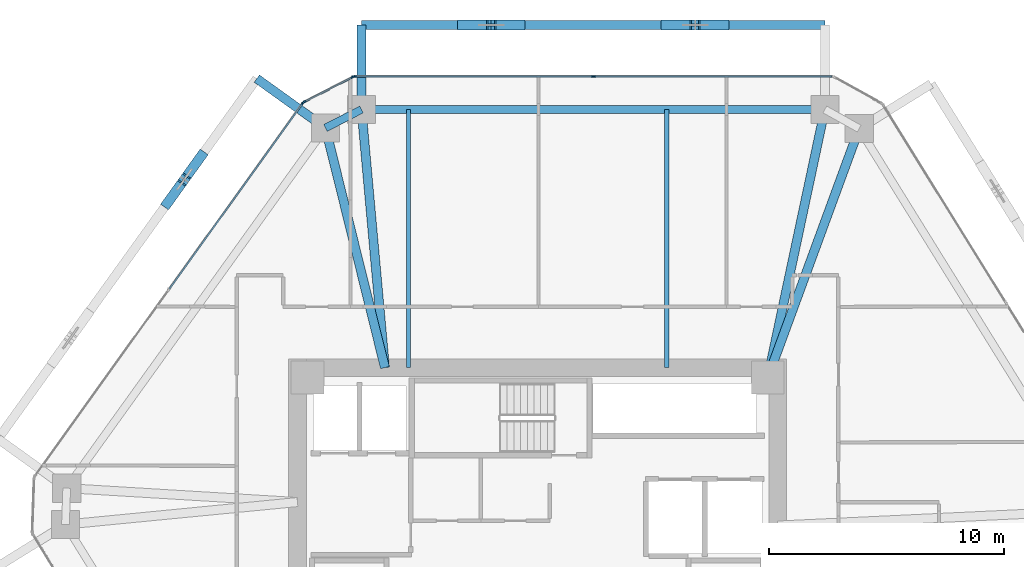
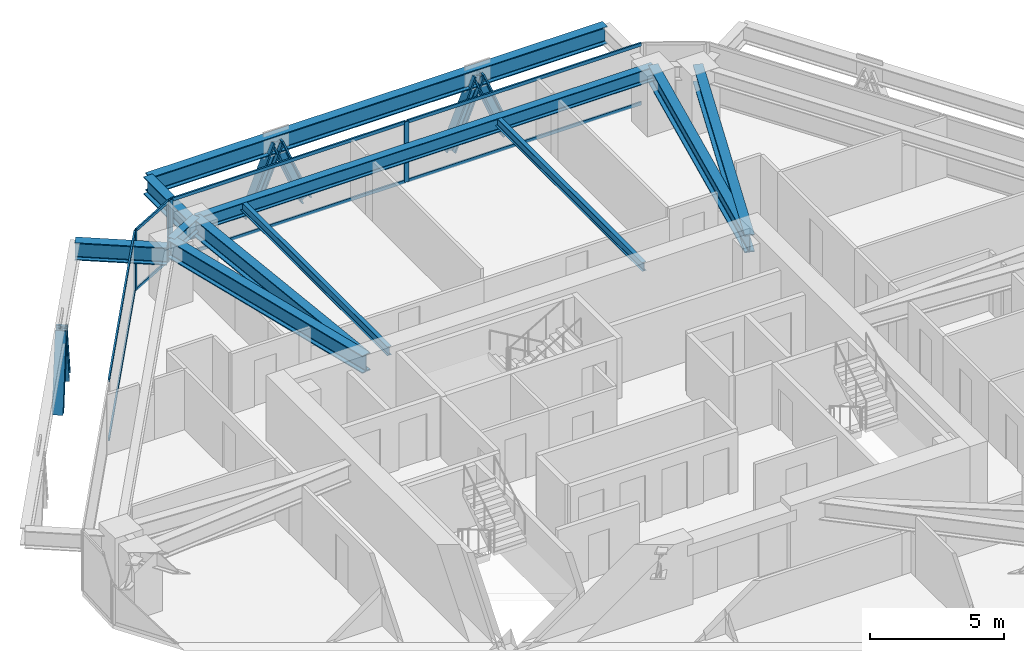
# One storey, part 7 of 17: 19 members, 11 beams, 3 elements without a shape of their own.
"""IFC4 building model written with IfcOpenShell, lengths in metres."""

import ifcopenshell
import ifcopenshell.guid

model = None  # the IFC model being written
_history = None  # IfcOwnerHistory: only IFC2X3 demands one
_inside = {}  # id of a spatial element -> (the spatial element, [elements in it])
_under = {}  # id of a project, library or spatial element -> (it, [spatial elements below it])
_declared = {}  # id of a project -> (the project, [libraries it declares])
_typed = {}  # id of a type object -> (the type object, [elements of that type])
_made_of = {}  # id of a material, layer set ... -> (it, [elements and type objects made of it])


def new_model(schema):
    """Start an empty IFC model of exactly this schema.

    Asked for "IFC4X3", IfcOpenShell would pick the latest addendum, in which some entities
    have other attributes; the version numbers below select the first issue.
    IFC2X3 requires an IfcOwnerHistory on every rooted entity: one is made here for all.
    """
    global model, _history
    if schema == "IFC4X3":
        model = ifcopenshell.file(schema_version=(4, 3, 0, 0))
    else:
        model = ifcopenshell.file(schema=schema)
    _inside.clear()
    _under.clear()
    _declared.clear()
    _typed.clear()
    _made_of.clear()
    _history = None
    if model.schema == "IFC2X3":
        org = make("IfcOrganization", Name="unknown")
        user = make(
            "IfcPersonAndOrganization",
            ThePerson=make("IfcPerson", FamilyName="unknown"),
            TheOrganization=org,
        )
        app = make(
            "IfcApplication",
            ApplicationDeveloper=org,
            Version="unknown",
            ApplicationFullName="unknown",
            ApplicationIdentifier="unknown",
        )
        _history = make(
            "IfcOwnerHistory",
            OwningUser=user,
            OwningApplication=app,
            ChangeAction="ADDED",
            CreationDate=0,
        )
    return model


def make(cls, **values):
    """One entity of the class cls with the attributes given. An attribute that is None is left unset."""
    return model.create_entity(
        cls, **{name: value for name, value in values.items() if value is not None}
    )


def rooted(cls, **values):
    """An entity with a GlobalId (a new one), such as an element, a storey or a relation."""
    return make(cls, GlobalId=ifcopenshell.guid.new(), OwnerHistory=_history, **values)


def si_unit(unit_type, name, prefix=None):
    """IfcSIUnit, for example si_unit("LENGTHUNIT", "METRE", prefix="MILLI")."""
    return make("IfcSIUnit", UnitType=unit_type, Prefix=prefix, Name=name)


def assignment(units):
    """IfcUnitAssignment: the units of a project."""
    return None if units is None else make("IfcUnitAssignment", Units=units)


def point(xyz):
    """IfcCartesianPoint."""
    return None if xyz is None else make("IfcCartesianPoint", Coordinates=xyz)


def direction(xyz):
    """IfcDirection."""
    return None if xyz is None else make("IfcDirection", DirectionRatios=xyz)


def frame(location, z_axis=None, x_axis=None):
    """IfcAxis2Placement3D, a coordinate frame: its origin and axes. An axis left out is left unset."""
    return make(
        "IfcAxis2Placement3D",
        Location=point(location),
        Axis=direction(z_axis),
        RefDirection=direction(x_axis),
    )


def frame_2d(location, x_axis=None):
    """IfcAxis2Placement2D, a coordinate frame in the plane: its origin and x axis."""
    return make(
        "IfcAxis2Placement2D", Location=point(location), RefDirection=direction(x_axis)
    )


def origin():
    """The frame at (0, 0, 0) with its axes left unset."""
    return frame((0.0, 0.0, 0.0))


def origin_2d():
    """The frame at (0, 0) in the plane with its x axis left unset."""
    return frame_2d((0.0, 0.0))


def place(relative_to, where):
    """IfcLocalPlacement: puts the frame where relative to a parent placement (None: the world)."""
    return make(
        "IfcLocalPlacement", PlacementRelTo=relative_to, RelativePlacement=where
    )


def context(
    kind, dimensions, precision=None, world=None, true_north=None, identifier=None
):
    """IfcGeometricRepresentationContext, for example the 3D "Model" context."""
    return make(
        "IfcGeometricRepresentationContext",
        ContextIdentifier=identifier,
        ContextType=kind,
        CoordinateSpaceDimension=dimensions,
        Precision=precision,
        WorldCoordinateSystem=world,
        TrueNorth=true_north,
    )


def subcontext(parent, identifier, kind, view, scale=None):
    """IfcGeometricRepresentationSubContext, for example "Body" below "Model"."""
    return make(
        "IfcGeometricRepresentationSubContext",
        ContextIdentifier=identifier,
        ContextType=kind,
        ParentContext=parent,
        TargetScale=scale,
        TargetView=view,
    )


def project(units=None, contexts=None):
    """IfcProject with its units and contexts."""
    return rooted(
        "IfcProject",
        Name="project",
        RepresentationContexts=contexts,
        UnitsInContext=assignment(units),
    )


def spatial(cls, under=None, at=None, **own):
    """A site, building, storey or space (cls), placed at a placement, below another one or the project."""
    s = rooted(cls, ObjectPlacement=at, **own)
    if under is not None:
        _under.setdefault(under.id(), (under, []))[1].append(s)
    return s


def profile(cls, at=None, kind="AREA", **sizes):
    """A parametric profile (cls). Its sizes go by their IFC names, for example OverallWidth=200.0."""
    return make(cls, ProfileType=kind, Position=at, **sizes)


def rectangle(**sizes):
    """IfcRectangleProfileDef."""
    return profile("IfcRectangleProfileDef", **sizes)


def i_section(**sizes):
    """IfcIShapeProfileDef."""
    return profile("IfcIShapeProfileDef", **sizes)


def extrude(swept, where, along, depth):
    """IfcExtrudedAreaSolid: the profile swept, set in the frame where, extruded along a direction by depth."""
    return make(
        "IfcExtrudedAreaSolid",
        SweptArea=swept,
        Position=where,
        ExtrudedDirection=direction(along),
        Depth=depth,
    )


def shape(context_of_items, identifier, shape_type, items):
    """IfcShapeRepresentation: the items that make up one representation, for example the "Body"."""
    return make(
        "IfcShapeRepresentation",
        ContextOfItems=context_of_items,
        RepresentationIdentifier=identifier,
        RepresentationType=shape_type,
        Items=items,
    )


def source(mapping_origin, context_of_items, identifier, shape_type, items):
    """IfcRepresentationMap: a shape defined once, which mapped items show again and again."""
    return make(
        "IfcRepresentationMap",
        MappingOrigin=mapping_origin,
        MappedRepresentation=shape(context_of_items, identifier, shape_type, items),
    )


def transform(
    local_origin,
    x_axis=None,
    y_axis=None,
    z_axis=None,
    scale=None,
    scale2=None,
    scale3=None,
    uniform=True,
):
    """IfcCartesianTransformationOperator3D, or its non-uniform kind. x_axis, y_axis, z_axis: its Axis1, 2, 3."""
    if uniform:
        return make(
            "IfcCartesianTransformationOperator3D",
            Axis1=direction(x_axis),
            Axis2=direction(y_axis),
            LocalOrigin=point(local_origin),
            Scale=scale,
            Axis3=direction(z_axis),
        )
    return make(
        "IfcCartesianTransformationOperator3DnonUniform",
        Axis1=direction(x_axis),
        Axis2=direction(y_axis),
        LocalOrigin=point(local_origin),
        Scale=scale,
        Axis3=direction(z_axis),
        Scale2=scale2,
        Scale3=scale3,
    )


def mapped(mapping_source, mapping_target):
    """IfcMappedItem: shows the shape of a source again, moved by a transform."""
    return make(
        "IfcMappedItem", MappingSource=mapping_source, MappingTarget=mapping_target
    )


def material(Name=None, Category=None):
    """IfcMaterial."""
    return make("IfcMaterial", Name=Name, Category=Category)


def layer(
    of_material, thickness, ventilated=None, Name=None, Category=None, Priority=None
):
    """IfcMaterialLayer: one layer of a wall or slab, of a material (None: an air gap)."""
    return make(
        "IfcMaterialLayer",
        Material=of_material,
        LayerThickness=thickness,
        IsVentilated=ventilated,
        Name=Name,
        Category=Category,
        Priority=Priority,
    )


def layer_set(layers, Name=None):
    """IfcMaterialLayerSet."""
    return make("IfcMaterialLayerSet", MaterialLayers=layers, LayerSetName=Name)


def material_profile(
    of_material, cross_section, Name=None, Category=None, Priority=None
):
    """IfcMaterialProfile: a cross section and its material."""
    return make(
        "IfcMaterialProfile",
        Name=Name,
        Material=of_material,
        Profile=cross_section,
        Priority=Priority,
        Category=Category,
    )


def profile_set(profiles, Name=None, composite=None):
    """IfcMaterialProfileSet."""
    return make(
        "IfcMaterialProfileSet",
        Name=Name,
        MaterialProfiles=profiles,
        CompositeProfile=composite,
    )


def made_of(thing, what):
    """Note that an element or type object is made of a material, layer set ...; save() writes the relation."""
    if what is not None:
        _made_of.setdefault(what.id(), (what, []))[1].append(thing)
    return thing


def type_object(cls, material=None, **own):
    """A type object (cls), such as IfcWallType, which elements share."""
    return made_of(rooted(cls, **own), material)


def type_shapes(of_type, sources):
    """Give a type object the sources (RepresentationMaps) that its elements show as mapped items."""
    of_type.RepresentationMaps = sources


def element(
    cls,
    number,
    at=None,
    inside=None,
    cuts=None,
    type_object=None,
    material=None,
    context=None,
    identifier="Body",
    shape_type=None,
    held_by="IfcProductDefinitionShape",
    body=None,
    shapes=None,
    **own,
):
    """One element of the class cls, such as IfcWall. Its Tag is "e" and its number.

    at: its placement. inside: the storey or other place that contains it. cuts: it is an
    opening in that element (IfcRelVoidsElement). A single representation is given by context,
    identifier, shape_type and body (its items); several are given by shapes. held_by: the class
    of the entity that holds the representations. save() writes the other relations.
    """
    e = rooted(cls, Tag="e%d" % number, ObjectPlacement=at, **own)
    if body is not None:
        shapes = [shape(context, identifier, shape_type, body)]
    if shapes is not None:
        e.Representation = make(held_by, Representations=shapes)
    if inside is not None:
        _inside.setdefault(inside.id(), (inside, []))[1].append(e)
    if cuts is not None:
        rooted(
            "IfcRelVoidsElement", RelatingBuildingElement=cuts, RelatedOpeningElement=e
        )
    if type_object is not None:
        _typed.setdefault(type_object.id(), (type_object, []))[1].append(e)
    return made_of(e, material)


def aggregate(whole, parts):
    """IfcRelAggregates: a whole, such as a stair, and the parts it consists of."""
    return rooted("IfcRelAggregates", RelatingObject=whole, RelatedObjects=parts)


def save(model, path):
    """Write the relations noted so far, then the file.

    IfcRelAggregates (storeys below a building ...), IfcRelContainedInSpatialStructure (elements
    in a storey), IfcRelDefinesByType, IfcRelAssociatesMaterial and IfcRelDeclares: one each for
    every whole, place, type object, material and project.
    """
    for whole, parts in _under.values():
        aggregate(whole, parts)
    for where, things in _inside.values():
        rooted(
            "IfcRelContainedInSpatialStructure",
            RelatedElements=things,
            RelatingStructure=where,
        )
    for kind, things in _typed.values():
        rooted("IfcRelDefinesByType", RelatedObjects=things, RelatingType=kind)
    for what, things in _made_of.values():
        rooted("IfcRelAssociatesMaterial", RelatedObjects=things, RelatingMaterial=what)
    for by, libraries in _declared.values():
        rooted("IfcRelDeclares", RelatingContext=by, RelatedDefinitions=libraries)
    model.write(path)


model = new_model("IFC4")

# Units and contexts
model_context = context("Model", 3, precision=1e-05, world=origin(), true_north=direction((0.0, 1.0)))
body_context = subcontext(model_context, "Body", "Model", "MODEL_VIEW")
ifc_project = project(units=[si_unit("LENGTHUNIT", "METRE"), si_unit("AREAUNIT", "SQUARE_METRE"), si_unit("VOLUMEUNIT", "CUBIC_METRE"), si_unit("PLANEANGLEUNIT", "RADIAN"), si_unit("MASSUNIT", "GRAM", prefix="KILO")], contexts=[model_context])

# Site, building, storey
site_placement = place(None, origin())
site = spatial("IfcSite", under=ifc_project, at=site_placement, CompositionType="ELEMENT")
building_placement = place(site_placement, origin())
building = spatial("IfcBuilding", under=site, at=building_placement, Name="Durnholm Broadcast Tower", CompositionType="ELEMENT")
storey_placement = place(building_placement, frame((0.0, 0.0, 143.10009765625)))
storey = spatial("IfcBuildingStorey", under=building, at=storey_placement, Name="L39", CompositionType="ELEMENT", Elevation=143.10009765625)

# Beams
ifc_material_1 = material(Name="Steel ASTM A992 Grade 50", Category="steel")
ifc_material_profile_1 = material_profile(ifc_material_1, i_section(OverallWidth=0.385009765625, OverallDepth=0.802978515625, WebThickness=0.023681640625, FlangeThickness=0.0419921875, FilletRadius=0.032958984375, at=origin_2d()), Name="W30X261")
ifc_profile_set_1 = profile_set([ifc_material_profile_1], Name="Steel ASTM A992 Grade 50")
beam_type_1 = type_object("IfcBeamType", Name="BM-EXO-TIE", PredefinedType="USERDEFINED", material=ifc_profile_set_1)
shared_shape_1 = source(origin(), body_context, "Body", "SweptSolid", [
    extrude(i_section(OverallWidth=0.385009765625, OverallDepth=0.802978515625, WebThickness=0.023681640625, FlangeThickness=0.0419921875, FilletRadius=0.032958984375, at=origin_2d()), origin(), (0.0, 0.0, 1.0), 3.4560546875),
])
beam_1_placement = place(storey_placement, frame((-7.498046875, 19.35888671875, 2.008544921875), z_axis=(0.0, 1.0, 0.0), x_axis=(-1.0, 0.0, 0.0)))
element("IfcBeam", 1, at=beam_1_placement, inside=storey, type_object=beam_type_1, Name="L39 exoskeleton stand-off tie bracket F4.2", ObjectType="GIRDER", PredefinedType="USERDEFINED", context=body_context, shape_type="MappedRepresentation", body=[
    mapped(shared_shape_1, transform((0.0, 0.0, 0.0), x_axis=(1.0, 0.0, 0.0), y_axis=(0.0, 1.0, 0.0), z_axis=(0.0, 0.0, 1.0), scale=1.0)),
])
ifc_material_profile_2 = material_profile(ifc_material_1, i_section(OverallWidth=0.3291015625, OverallDepth=0.635009765625, WebThickness=0.017822265625, FlangeThickness=0.031005859375, FilletRadius=0.02783203125, at=origin_2d()), Name="W24X162")
ifc_profile_set_2 = profile_set([ifc_material_profile_2], Name="Steel ASTM A992 Grade 50")
beam_type_2 = type_object("IfcBeamType", Name="STL-SP-W24X162", PredefinedType="SPANDREL", material=ifc_profile_set_2)
shared_shape_2 = source(origin(), body_context, "Body", "SweptSolid", [
    extrude(i_section(OverallWidth=0.3291015625, OverallDepth=0.635009765625, WebThickness=0.017822265625, FlangeThickness=0.031005859375, FilletRadius=0.02783203125, at=origin_2d()), origin(), (0.0, 0.0, 1.0), 1.723876953125),
])
beam_2_placement = place(storey_placement, frame((-9.031982421875, 18.42822265625, 2.427490234375), z_axis=(0.889762904339, 0.456423020959, 0.0), x_axis=(-0.456423020959, 0.889762904339, 0.0)))
element("IfcBeam", 2, at=beam_2_placement, inside=storey, type_object=beam_type_2, Name="L39 perimeter spandrel girder 04", PredefinedType="SPANDREL", context=body_context, shape_type="MappedRepresentation", body=[
    mapped(shared_shape_2, transform((0.0, 0.0, 0.0), x_axis=(1.0, 0.0, 0.0), y_axis=(0.0, 1.0, 0.0), z_axis=(0.0, 0.0, 1.0), scale=1.0)),
])
shared_shape_3 = source(origin(), body_context, "Body", "SweptSolid", [
    extrude(i_section(OverallWidth=0.3291015625, OverallDepth=0.635009765625, WebThickness=0.017822265625, FlangeThickness=0.031005859375, FilletRadius=0.02783203125, at=origin_2d()), origin(), (0.0, 0.0, 1.0), 19.72802734375),
])
type_shapes(beam_type_2, [shared_shape_2, shared_shape_3])
beam_3_placement = place(storey_placement, frame((-7.498046875, 19.215087890625, 2.427490234375), z_axis=(1.0, 0.0, 0.0), x_axis=(0.0, 1.0, 0.0)))
element("IfcBeam", 3, at=beam_3_placement, inside=storey, type_object=beam_type_2, Name="L39 perimeter spandrel girder 05", PredefinedType="SPANDREL", context=body_context, shape_type="MappedRepresentation", body=[
    mapped(shared_shape_3, transform((0.0, 0.0, 0.0), x_axis=(1.0, 0.0, 0.0), y_axis=(0.0, 1.0, 0.0), z_axis=(0.0, 0.0, 1.0), scale=1.0)),
])
ifc_material_profile_3 = material_profile(ifc_material_1, i_section(OverallWidth=0.385009765625, OverallDepth=0.802978515625, WebThickness=0.023681640625, FlangeThickness=0.0419921875, FilletRadius=0.032958984375, at=origin_2d()), Name="W30X261")
ifc_profile_set_3 = profile_set([ifc_material_profile_3], Name="Steel ASTM A992 Grade 50")
beam_type_3 = type_object("IfcBeamType", Name="STL-GR-W30X261", PredefinedType="USERDEFINED", material=ifc_profile_set_3)
shared_shape_4 = source(origin(), body_context, "Body", "SweptSolid", [
    extrude(i_section(OverallWidth=0.385009765625, OverallDepth=0.802978515625, WebThickness=0.023681640625, FlangeThickness=0.0419921875, FilletRadius=0.032958984375, at=origin_2d()), origin(), (0.0, 0.0, 1.0), 10.5126953125),
])
beam_4_placement = place(storey_placement, frame((-6.5, 8.22509765625, 2.343505859375), z_axis=(-0.240852230194, 0.970561797729, 0.0), x_axis=(-0.970561797729, -0.240852230194, 0.0)))
element("IfcBeam", 4, at=beam_4_placement, inside=storey, type_object=beam_type_3, Name="L39 radial primary floor girder 04", ObjectType="GIRDER", PredefinedType="USERDEFINED", context=body_context, shape_type="MappedRepresentation", body=[
    mapped(shared_shape_4, transform((0.0, 0.0, 0.0), x_axis=(1.0, 0.0, 0.0), y_axis=(0.0, 1.0, 0.0), z_axis=(0.0, 0.0, 1.0), scale=1.0)),
])
shared_shape_5 = source(origin(), body_context, "Body", "SweptSolid", [
    extrude(i_section(OverallWidth=0.385009765625, OverallDepth=0.802978515625, WebThickness=0.023681640625, FlangeThickness=0.0419921875, FilletRadius=0.032958984375, at=origin_2d()), origin(), (0.0, 0.0, 1.0), 11.03515625),
])
beam_5_placement = place(storey_placement, frame((-6.5, 8.22509765625, 2.343505859375), z_axis=(-0.090441991612, 0.995901725148, 0.0), x_axis=(-0.995901725148, -0.090441991612, 0.0)))
element("IfcBeam", 5, at=beam_5_placement, inside=storey, type_object=beam_type_3, Name="L39 radial primary floor girder 05", ObjectType="GIRDER", PredefinedType="USERDEFINED", context=body_context, shape_type="MappedRepresentation", body=[
    mapped(shared_shape_5, transform((0.0, 0.0, 0.0), x_axis=(1.0, 0.0, 0.0), y_axis=(0.0, 1.0, 0.0), z_axis=(0.0, 0.0, 1.0), scale=1.0)),
])
shared_shape_6 = source(origin(), body_context, "Body", "SweptSolid", [
    extrude(i_section(OverallWidth=0.385009765625, OverallDepth=0.802978515625, WebThickness=0.023681640625, FlangeThickness=0.0419921875, FilletRadius=0.032958984375, at=origin_2d()), origin(), (0.0, 0.0, 1.0), 11.6708984375),
])
beam_6_placement = place(storey_placement, frame((9.800048828125, 7.800048828125, 2.343505859375), z_axis=(0.208206004915, 0.97808499606, 0.0), x_axis=(-0.97808499606, 0.208206004915, 0.0)))
element("IfcBeam", 6, at=beam_6_placement, inside=storey, type_object=beam_type_3, Name="L39 radial primary floor girder 06", ObjectType="GIRDER", PredefinedType="USERDEFINED", context=body_context, shape_type="MappedRepresentation", body=[
    mapped(shared_shape_6, transform((0.0, 0.0, 0.0), x_axis=(1.0, 0.0, 0.0), y_axis=(0.0, 1.0, 0.0), z_axis=(0.0, 0.0, 1.0), scale=1.0)),
])
shared_shape_7 = source(origin(), body_context, "Body", "SweptSolid", [
    extrude(i_section(OverallWidth=0.385009765625, OverallDepth=0.802978515625, WebThickness=0.023681640625, FlangeThickness=0.0419921875, FilletRadius=0.032958984375, at=origin_2d()), origin(), (0.0, 0.0, 1.0), 11.293212890625),
])
type_shapes(beam_type_3, [shared_shape_4, shared_shape_5, shared_shape_6, shared_shape_7])
beam_7_placement = place(storey_placement, frame((9.800048828125, 7.800048828125, 2.343505859375), z_axis=(0.344640193759, 0.938734859716, 0.0), x_axis=(-0.938734859716, 0.344640193759, 0.0)))
element("IfcBeam", 7, at=beam_7_placement, inside=storey, type_object=beam_type_3, Name="L39 radial primary floor girder 07", ObjectType="GIRDER", PredefinedType="USERDEFINED", context=body_context, shape_type="MappedRepresentation", body=[
    mapped(shared_shape_7, transform((0.0, 0.0, 0.0), x_axis=(1.0, 0.0, 0.0), y_axis=(0.0, 1.0, 0.0), z_axis=(0.0, 0.0, 1.0), scale=1.0)),
])
ifc_material_profile_4 = material_profile(ifc_material_1, i_section(OverallWidth=0.177734375, OverallDepth=0.40673828125, WebThickness=0.0078125, FlangeThickness=0.0126953125, FilletRadius=0.01904296875, at=origin_2d()), Name="W16X40")
ifc_profile_set_4 = profile_set([ifc_material_profile_4], Name="Steel ASTM A992 Grade 50")
beam_type_4 = type_object("IfcBeamType", Name="STL-BJ-W16X40", PredefinedType="JOIST", material=ifc_profile_set_4)
shared_shape_8 = source(origin(), body_context, "Body", "SweptSolid", [
    extrude(i_section(OverallWidth=0.177734375, OverallDepth=0.40673828125, WebThickness=0.0078125, FlangeThickness=0.0126953125, FilletRadius=0.01904296875, at=origin_2d()), origin(), (0.0, 0.0, 1.0), 10.989990234375),
])
type_shapes(beam_type_4, [shared_shape_8])
for number, where, z_axis, x_axis, name in (
    (8, (-5.5, 8.22509765625, 2.54150390625), (0.0, 1.0, 0.0), (-1.0, 0.0, 0.0), "L39 secondary floor joist 3.2"),
    (9, (5.5, 8.22509765625, 2.54150390625), (0.0, 1.0, 0.0), (-1.0, 0.0, 0.0), "L39 secondary floor joist 4.2"),
):
    element("IfcBeam", number, at=place(storey_placement, frame(where, z_axis=z_axis, x_axis=x_axis)), inside=storey, type_object=beam_type_4, Name=name, PredefinedType="JOIST", context=body_context, shape_type="MappedRepresentation", body=[
        mapped(shared_shape_8, transform((0.0, 0.0, 0.0), x_axis=(1.0, 0.0, 0.0), y_axis=(0.0, 1.0, 0.0), z_axis=(0.0, 0.0, 1.0), scale=1.0)),
    ])
shared_shape_9 = source(origin(), body_context, "Body", "SweptSolid", [
    extrude(i_section(OverallWidth=0.385009765625, OverallDepth=0.802978515625, WebThickness=0.023681640625, FlangeThickness=0.0419921875, FilletRadius=0.032958984375, at=origin_2d()), origin(), (0.0, 0.0, 1.0), 19.72802734375),
])
beam_8_placement = place(storey_placement, frame((12.22998046875, 22.81494140625, 2.008544921875), z_axis=(-1.0, 0.0, 0.0), x_axis=(0.0, -1.0, 0.0)))
element("IfcBeam", 10, at=beam_8_placement, inside=storey, type_object=beam_type_1, Name="L39 exoskeleton collector spandrel F4", PredefinedType="SPANDREL", context=body_context, shape_type="MappedRepresentation", body=[
    mapped(shared_shape_9, transform((0.0, 0.0, 0.0), x_axis=(1.0, 0.0, 0.0), y_axis=(0.0, 1.0, 0.0), z_axis=(0.0, 0.0, 1.0), scale=1.0)),
])
shared_shape_10 = source(origin(), body_context, "Body", "SweptSolid", [
    extrude(i_section(OverallWidth=0.385009765625, OverallDepth=0.802978515625, WebThickness=0.023681640625, FlangeThickness=0.0419921875, FilletRadius=0.032958984375, at=origin_2d()), origin(), (0.0, 0.0, 1.0), 3.456298828125),
])
type_shapes(beam_type_1, [shared_shape_1, shared_shape_9, shared_shape_10])
beam_9_placement = place(storey_placement, frame((-9.14892578125, 18.51220703125, 2.008544921875), z_axis=(-0.812131479052, 0.583474473077, 0.0), x_axis=(-0.583474473077, -0.812131479052, 0.0)))
element("IfcBeam", 11, at=beam_9_placement, inside=storey, type_object=beam_type_1, Name="L39 exoskeleton stand-off tie bracket F5.1", ObjectType="GIRDER", PredefinedType="USERDEFINED", context=body_context, shape_type="MappedRepresentation", body=[
    mapped(shared_shape_10, transform((0.0, 0.0, 0.0), x_axis=(1.0, 0.0, 0.0), y_axis=(0.0, 1.0, 0.0), z_axis=(0.0, 0.0, 1.0), scale=1.0)),
])

# Members
ifc_material_2 = material(Name="Steel ASTM A913 Grade 65", Category="steel")
ifc_material_profile_5 = material_profile(ifc_material_2, i_section(OverallWidth=0.41845703125, OverallDepth=0.455078125, WebThickness=0.0419921875, FlangeThickness=0.067626953125, FilletRadius=0.030517578125, at=origin_2d()), Name="W14X370")
ifc_profile_set_5 = profile_set([ifc_material_profile_5], Name="Steel ASTM A913 Grade 65")
member_type_1 = type_object("IfcMemberType", Name="STL-DG-W14X370", PredefinedType="BRACE", material=ifc_profile_set_5)
shared_shape_11 = source(origin(), body_context, "Body", "SweptSolid", [
    extrude(i_section(OverallWidth=0.41845703125, OverallDepth=0.455078125, WebThickness=0.0419921875, FlangeThickness=0.067626953125, FilletRadius=0.030517578125, at=origin_2d()), origin(), (0.0, 0.0, 1.0), 3.243896484375),
])
for number, where, z_axis, x_axis, name in (
    (12, (7.93994140625, 22.81494140625, -0.991455078125), (-0.380378804119, 0.0, 0.924830776616), (0.0, -1.0, 0.0), "L39 stand-off diagrid brace F4.D1.1"),
    (13, (-0.740478515625, 22.81494140625, -0.991455078125), (-0.380378804119, 0.0, 0.924830776616), (0.0, -1.0, 0.0), "L39 stand-off diagrid brace F4.D2.1"),
    (14, (-15.7607421875, 15.232421875, -0.991455078125), (0.22195255441, 0.308882089963, 0.924839941877), (-0.812085698931, 0.583538188632, 0.0), "L39 stand-off diagrid brace F5.D1.2"),
):
    element("IfcMember", number, at=place(storey_placement, frame(where, z_axis=z_axis, x_axis=x_axis)), inside=storey, type_object=member_type_1, Name=name, PredefinedType="BRACE", context=body_context, shape_type="MappedRepresentation", body=[
        mapped(shared_shape_11, transform((0.0, 0.0, 0.0), x_axis=(1.0, 0.0, 0.0), y_axis=(0.0, 1.0, 0.0), z_axis=(0.0, 0.0, 1.0), scale=1.0)),
    ])
shared_shape_12 = source(origin(), body_context, "Body", "SweptSolid", [
    extrude(i_section(OverallWidth=0.41845703125, OverallDepth=0.455078125, WebThickness=0.0419921875, FlangeThickness=0.067626953125, FilletRadius=0.030517578125, at=origin_2d()), origin(), (0.0, 0.0, 1.0), 3.24365234375),
])
type_shapes(member_type_1, [shared_shape_11, shared_shape_12])
for number, where, z_axis, x_axis, name in (
    (15, (5.472412109375, 22.81494140625, -0.991455078125), (0.380314428078, 0.0, 0.924857251578), (0.0, 1.0, 0.0), "L39 stand-off diagrid brace F4.D1.2"),
    (16, (-3.2080078125, 22.81494140625, -0.991455078125), (0.380314428078, 0.0, 0.924857251578), (0.0, 1.0, 0.0), "L39 stand-off diagrid brace F4.D2.2"),
    (17, (-14.321044921875, 17.236328125, -0.991455078125), (-0.22188099666, -0.308887249081, 0.924855389062), (0.812179469647, -0.583407669717, 0.0), "L39 stand-off diagrid brace F5.D1.1"),
):
    element("IfcMember", number, at=place(storey_placement, frame(where, z_axis=z_axis, x_axis=x_axis)), inside=storey, type_object=member_type_1, Name=name, PredefinedType="BRACE", context=body_context, shape_type="MappedRepresentation", body=[
        mapped(shared_shape_12, transform((0.0, 0.0, 0.0), x_axis=(1.0, 0.0, 0.0), y_axis=(0.0, 1.0, 0.0), z_axis=(0.0, 0.0, 1.0), scale=1.0)),
    ])

# Curtain wall, members
ifc_material_3 = material(Name="Aluminium and Solar Control IGU", Category="aluminium")
ifc_layer_1 = layer(ifc_material_3, 0.1650390625)
ifc_layer_set_1 = layer_set([ifc_layer_1], Name="Aluminium and Solar Control IGU")
curtain_wall_type_1 = type_object("IfcCurtainWallType", Name="CW-SYS-5", PredefinedType="NOTDEFINED", material=ifc_layer_set_1)
curtain_wall_1_placement = place(storey_placement, origin())
curtain_wall_1 = element("IfcCurtainWall", 18, at=curtain_wall_1_placement, inside=storey, type_object=curtain_wall_type_1, Name="L39 curtain wall CW-CORNER CW-L39-CRN-03", PredefinedType="NOTDEFINED")
ifc_material_4 = material(Name="Aluminium 6063-T6", Category="aluminium")
ifc_material_profile_6 = material_profile(ifc_material_4, rectangle(XDim=0.06494140625, YDim=0.1650390625, at=origin_2d()), Name="CWM65X165")
ifc_profile_set_6 = profile_set([ifc_material_profile_6], Name="Aluminium 6063-T6")
member_type_2 = type_object("IfcMemberType", Name="CW-SYS-5-MUL", PredefinedType="MULLION", material=ifc_profile_set_6)
shared_shape_13 = source(origin(), body_context, "Body", "SweptSolid", [
    extrude(rectangle(XDim=0.06494140625, YDim=0.1650390625, at=origin_2d()), origin(), (0.0, 0.0, 1.0), 2.760009765625),
])
type_shapes(member_type_2, [shared_shape_13])
member_1_placement = place(storey_placement, frame((-9.94287109375, 19.534423828125, 0.0), z_axis=(0.0, 0.0, 1.0), x_axis=(-0.45637332267, 0.889788396392, 0.0)))
member_1 = element("IfcMember", 19, at=member_1_placement, type_object=member_type_2, Name="CW-CORNER mullion 1", PredefinedType="MULLION", context=body_context, shape_type="MappedRepresentation", body=[
    mapped(shared_shape_13, transform((0.0, 0.0, 0.0), x_axis=(1.0, 0.0, 0.0), y_axis=(0.0, 1.0, 0.0), z_axis=(0.0, 0.0, 1.0), scale=1.0)),
])
member_2_placement = place(storey_placement, frame((-7.865234375, 20.60009765625, 0.0), z_axis=(0.0, 0.0, 1.0), x_axis=(-0.45637332267, 0.889788396392, 0.0)))
member_2 = element("IfcMember", 20, at=member_2_placement, type_object=member_type_2, Name="CW-CORNER mullion 2", PredefinedType="MULLION", context=body_context, shape_type="MappedRepresentation", body=[
    mapped(shared_shape_13, transform((0.0, 0.0, 0.0), x_axis=(1.0, 0.0, 0.0), y_axis=(0.0, 1.0, 0.0), z_axis=(0.0, 0.0, 1.0), scale=1.0)),
])

# Curtain wall, member
ifc_layer_2 = layer(ifc_material_3, 0.18994140625)
ifc_layer_set_2 = layer_set([ifc_layer_2], Name="Aluminium and Solar Control IGU")
curtain_wall_type_2 = type_object("IfcCurtainWallType", Name="CW-SYS-3", PredefinedType="NOTDEFINED", material=ifc_layer_set_2)
curtain_wall_2_placement = place(storey_placement, origin())
curtain_wall_2 = element("IfcCurtainWall", 21, at=curtain_wall_2_placement, inside=storey, type_object=curtain_wall_type_2, Name="L39 curtain wall CW-Z12-VIS CW-L39-F02", PredefinedType="NOTDEFINED")
ifc_material_profile_7 = material_profile(ifc_material_4, rectangle(XDim=0.070068359375, YDim=0.18994140625, at=origin_2d()), Name="CWM70X190")
ifc_profile_set_7 = profile_set([ifc_material_profile_7], Name="Aluminium 6063-T6")
member_type_3 = type_object("IfcMemberType", Name="CW-SYS-3-MUL", PredefinedType="MULLION", material=ifc_profile_set_7)
shared_shape_14 = source(origin(), body_context, "Body", "SweptSolid", [
    extrude(rectangle(XDim=0.070068359375, YDim=0.18994140625, at=origin_2d()), origin(), (0.0, 0.0, 1.0), 2.760009765625),
])
type_shapes(member_type_3, [shared_shape_14])
member_3_placement = place(storey_placement, frame((-9.9921875, 19.4912109375, 0.0), z_axis=(0.0, 0.0, 1.0), x_axis=(-0.812152312759, 0.583445473786, 0.0)))
member_3 = element("IfcMember", 22, at=member_3_placement, type_object=member_type_3, Name="CW-Z12-VIS mullion 3", PredefinedType="MULLION", context=body_context, shape_type="MappedRepresentation", body=[
    mapped(shared_shape_14, transform((0.0, 0.0, 0.0), x_axis=(1.0, 0.0, 0.0), y_axis=(0.0, 1.0, 0.0), z_axis=(0.0, 0.0, 1.0), scale=1.0)),
])

# Curtain wall, members
curtain_wall_3_placement = place(storey_placement, origin())
curtain_wall_3 = element("IfcCurtainWall", 23, at=curtain_wall_3_placement, inside=storey, type_object=curtain_wall_type_2, Name="L39 curtain wall CW-Z12-VIS CW-L39-F04", PredefinedType="NOTDEFINED")
member_4_placement = place(storey_placement, frame((-7.80126953125, 20.614990234375, 0.0), z_axis=(0.0, 0.0, 1.0), x_axis=(0.0, 1.0, 0.0)))
member_4 = element("IfcMember", 24, at=member_4_placement, type_object=member_type_3, Name="CW-Z12-VIS mullion 1", PredefinedType="MULLION", context=body_context, shape_type="MappedRepresentation", body=[
    mapped(shared_shape_14, transform((0.0, 0.0, 0.0), x_axis=(1.0, 0.0, 0.0), y_axis=(0.0, 1.0, 0.0), z_axis=(0.0, 0.0, 1.0), scale=1.0)),
])
member_5_placement = place(storey_placement, frame((2.37841796875, 20.614990234375, 0.0), z_axis=(0.0, 0.0, 1.0), x_axis=(0.0, 1.0, 0.0)))
member_5 = element("IfcMember", 25, at=member_5_placement, type_object=member_type_3, Name="CW-Z12-VIS mullion 2", PredefinedType="MULLION", context=body_context, shape_type="MappedRepresentation", body=[
    mapped(shared_shape_14, transform((0.0, 0.0, 0.0), x_axis=(1.0, 0.0, 0.0), y_axis=(0.0, 1.0, 0.0), z_axis=(0.0, 0.0, 1.0), scale=1.0)),
])

# Member
ifc_material_profile_8 = material_profile(ifc_material_4, rectangle(XDim=0.06494140625, YDim=0.1298828125, at=origin_2d()), Name="CWT65X130")
ifc_profile_set_8 = profile_set([ifc_material_profile_8], Name="Aluminium 6063-T6")
member_type_4 = type_object("IfcMemberType", Name="CW-SYS-5-TRN", PredefinedType="USERDEFINED", material=ifc_profile_set_8)
shared_shape_15 = source(origin(), body_context, "Body", "SweptSolid", [
    extrude(rectangle(XDim=0.06494140625, YDim=0.1298828125, at=origin_2d()), origin(), (0.0, 0.0, 1.0), 2.27001953125),
])
type_shapes(member_type_4, [shared_shape_15])
member_6_placement = place(storey_placement, frame((-9.913818359375, 19.54931640625, 0.032470703125), z_axis=(0.889754750021, 0.456438916849, 0.0), x_axis=(-0.456438916849, 0.889754750021, 0.0)))
member_6 = element("IfcMember", 26, at=member_6_placement, type_object=member_type_4, Name="CW-CORNER transom 1.1", ObjectType="TRANSOM", PredefinedType="USERDEFINED", context=body_context, shape_type="MappedRepresentation", body=[
    mapped(shared_shape_15, transform((0.0, 0.0, 0.0), x_axis=(1.0, 0.0, 0.0), y_axis=(0.0, 1.0, 0.0), z_axis=(0.0, 0.0, 1.0), scale=1.0)),
])

member_7_placement = place(storey_placement, frame((-9.913818359375, 19.54931640625, 2.727294921875), z_axis=(0.889754750021, 0.456438916849, 0.0), x_axis=(-0.456438916849, 0.889754750021, 0.0)))
member_7 = element("IfcMember", 27, at=member_7_placement, type_object=member_type_4, Name="CW-CORNER transom 1.2", ObjectType="TRANSOM", PredefinedType="USERDEFINED", context=body_context, shape_type="MappedRepresentation", body=[
    mapped(shared_shape_15, transform((0.0, 0.0, 0.0), x_axis=(1.0, 0.0, 0.0), y_axis=(0.0, 1.0, 0.0), z_axis=(0.0, 0.0, 1.0), scale=1.0)),
])

aggregate(curtain_wall_1, [member_1, member_2, member_6, member_7])

ifc_material_profile_9 = material_profile(ifc_material_4, rectangle(XDim=0.070068359375, YDim=0.14990234375, at=origin_2d()), Name="CWT70X150")
ifc_profile_set_9 = profile_set([ifc_material_profile_9], Name="Aluminium 6063-T6")
member_type_5 = type_object("IfcMemberType", Name="CW-SYS-3-TRN", PredefinedType="USERDEFINED", material=ifc_profile_set_9)
shared_shape_16 = source(origin(), body_context, "Body", "SweptSolid", [
    extrude(rectangle(XDim=0.070068359375, YDim=0.14990234375, at=origin_2d()), origin(), (0.0, 0.0, 1.0), 9.71875),
])
member_8_placement = place(storey_placement, frame((-15.682861328125, 11.56982421875, 0.034912109375), z_axis=(0.583450726174, 0.812148539448, 0.0), x_axis=(-0.812148539448, 0.583450726174, 0.0)))
member_8 = element("IfcMember", 28, at=member_8_placement, type_object=member_type_5, Name="CW-Z12-VIS transom 2.1", ObjectType="TRANSOM", PredefinedType="USERDEFINED", context=body_context, shape_type="MappedRepresentation", body=[
    mapped(shared_shape_16, transform((0.0, 0.0, 0.0), x_axis=(1.0, 0.0, 0.0), y_axis=(0.0, 1.0, 0.0), z_axis=(0.0, 0.0, 1.0), scale=1.0)),
])

member_9_placement = place(storey_placement, frame((-15.682861328125, 11.56982421875, 2.724853515625), z_axis=(0.583450726174, 0.812148539448, 0.0), x_axis=(-0.812148539448, 0.583450726174, 0.0)))
member_9 = element("IfcMember", 29, at=member_9_placement, type_object=member_type_5, Name="CW-Z12-VIS transom 2.2", ObjectType="TRANSOM", PredefinedType="USERDEFINED", context=body_context, shape_type="MappedRepresentation", body=[
    mapped(shared_shape_16, transform((0.0, 0.0, 0.0), x_axis=(1.0, 0.0, 0.0), y_axis=(0.0, 1.0, 0.0), z_axis=(0.0, 0.0, 1.0), scale=1.0)),
])

aggregate(curtain_wall_2, [member_3, member_8, member_9])

shared_shape_17 = source(origin(), body_context, "Body", "SweptSolid", [
    extrude(rectangle(XDim=0.070068359375, YDim=0.14990234375, at=origin_2d()), origin(), (0.0, 0.0, 1.0), 10.109619140625),
])
type_shapes(member_type_5, [shared_shape_16, shared_shape_17])
member_10_placement = place(storey_placement, frame((-7.76611328125, 20.614990234375, 0.034912109375), z_axis=(1.0, 0.0, 0.0), x_axis=(0.0, 1.0, 0.0)))
member_10 = element("IfcMember", 30, at=member_10_placement, type_object=member_type_5, Name="CW-Z12-VIS transom 1.1", ObjectType="TRANSOM", PredefinedType="USERDEFINED", context=body_context, shape_type="MappedRepresentation", body=[
    mapped(shared_shape_17, transform((0.0, 0.0, 0.0), x_axis=(1.0, 0.0, 0.0), y_axis=(0.0, 1.0, 0.0), z_axis=(0.0, 0.0, 1.0), scale=1.0)),
])

member_11_placement = place(storey_placement, frame((-7.76611328125, 20.614990234375, 2.724853515625), z_axis=(1.0, 0.0, 0.0), x_axis=(0.0, 1.0, 0.0)))
member_11 = element("IfcMember", 31, at=member_11_placement, type_object=member_type_5, Name="CW-Z12-VIS transom 1.2", ObjectType="TRANSOM", PredefinedType="USERDEFINED", context=body_context, shape_type="MappedRepresentation", body=[
    mapped(shared_shape_17, transform((0.0, 0.0, 0.0), x_axis=(1.0, 0.0, 0.0), y_axis=(0.0, 1.0, 0.0), z_axis=(0.0, 0.0, 1.0), scale=1.0)),
])

member_12_placement = place(storey_placement, frame((2.41357421875, 20.614990234375, 0.034912109375), z_axis=(1.0, 0.0, 0.0), x_axis=(0.0, 1.0, 0.0)))
member_12 = element("IfcMember", 32, at=member_12_placement, type_object=member_type_5, Name="CW-Z12-VIS transom 2.1", ObjectType="TRANSOM", PredefinedType="USERDEFINED", context=body_context, shape_type="MappedRepresentation", body=[
    mapped(shared_shape_17, transform((0.0, 0.0, 0.0), x_axis=(1.0, 0.0, 0.0), y_axis=(0.0, 1.0, 0.0), z_axis=(0.0, 0.0, 1.0), scale=1.0)),
])

member_13_placement = place(storey_placement, frame((2.41357421875, 20.614990234375, 2.724853515625), z_axis=(1.0, 0.0, 0.0), x_axis=(0.0, 1.0, 0.0)))
member_13 = element("IfcMember", 33, at=member_13_placement, type_object=member_type_5, Name="CW-Z12-VIS transom 2.2", ObjectType="TRANSOM", PredefinedType="USERDEFINED", context=body_context, shape_type="MappedRepresentation", body=[
    mapped(shared_shape_17, transform((0.0, 0.0, 0.0), x_axis=(1.0, 0.0, 0.0), y_axis=(0.0, 1.0, 0.0), z_axis=(0.0, 0.0, 1.0), scale=1.0)),
])

aggregate(curtain_wall_3, [member_4, member_5, member_10, member_11, member_12, member_13])

save(model, "model.ifc")
